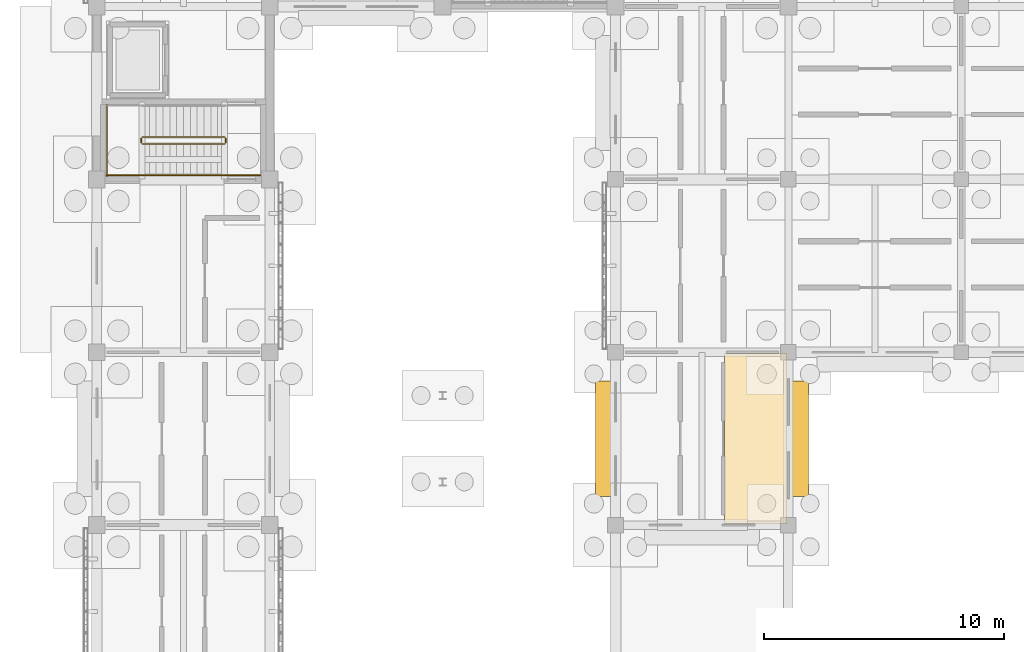
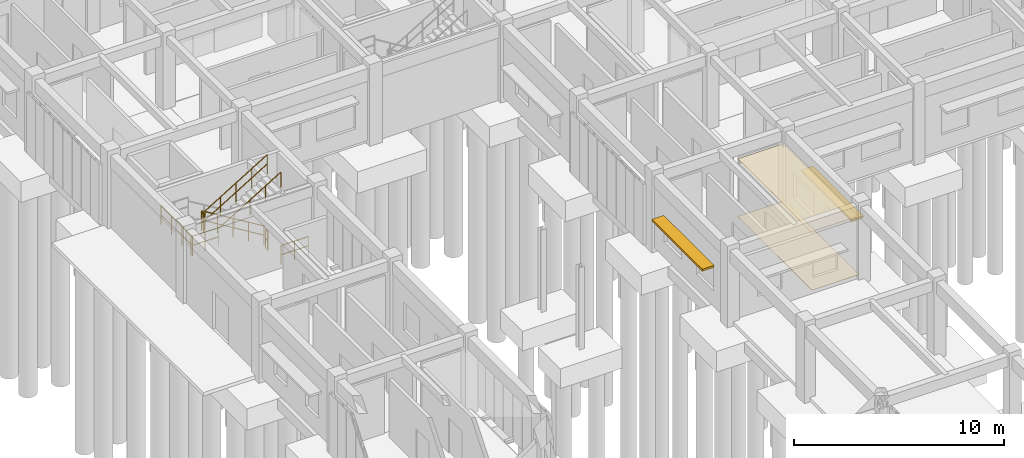
# One storey, part 93 of 111: 8 railings, 2 coverings, 2 shading devices.
"""IFC4 building model written with IfcOpenShell, lengths in metres."""

import ifcopenshell
import ifcopenshell.guid

model = None  # the IFC model being written
_history = None  # IfcOwnerHistory: only IFC2X3 demands one
_inside = {}  # id of a spatial element -> (the spatial element, [elements in it])
_under = {}  # id of a project, library or spatial element -> (it, [spatial elements below it])
_declared = {}  # id of a project -> (the project, [libraries it declares])
_typed = {}  # id of a type object -> (the type object, [elements of that type])
_made_of = {}  # id of a material, layer set ... -> (it, [elements and type objects made of it])


def new_model(schema):
    """Start an empty IFC model of exactly this schema.

    Asked for "IFC4X3", IfcOpenShell would pick the latest addendum, in which some entities
    have other attributes; the version numbers below select the first issue.
    IFC2X3 requires an IfcOwnerHistory on every rooted entity: one is made here for all.
    """
    global model, _history
    if schema == "IFC4X3":
        model = ifcopenshell.file(schema_version=(4, 3, 0, 0))
    else:
        model = ifcopenshell.file(schema=schema)
    _inside.clear()
    _under.clear()
    _declared.clear()
    _typed.clear()
    _made_of.clear()
    _history = None
    if model.schema == "IFC2X3":
        org = make("IfcOrganization", Name="unknown")
        user = make(
            "IfcPersonAndOrganization",
            ThePerson=make("IfcPerson", FamilyName="unknown"),
            TheOrganization=org,
        )
        app = make(
            "IfcApplication",
            ApplicationDeveloper=org,
            Version="unknown",
            ApplicationFullName="unknown",
            ApplicationIdentifier="unknown",
        )
        _history = make(
            "IfcOwnerHistory",
            OwningUser=user,
            OwningApplication=app,
            ChangeAction="ADDED",
            CreationDate=0,
        )
    return model


def make(cls, **values):
    """One entity of the class cls with the attributes given. An attribute that is None is left unset."""
    return model.create_entity(
        cls, **{name: value for name, value in values.items() if value is not None}
    )


def rooted(cls, **values):
    """An entity with a GlobalId (a new one), such as an element, a storey or a relation."""
    return make(cls, GlobalId=ifcopenshell.guid.new(), OwnerHistory=_history, **values)


def si_unit(unit_type, name, prefix=None):
    """IfcSIUnit, for example si_unit("LENGTHUNIT", "METRE", prefix="MILLI")."""
    return make("IfcSIUnit", UnitType=unit_type, Prefix=prefix, Name=name)


def assignment(units):
    """IfcUnitAssignment: the units of a project."""
    return None if units is None else make("IfcUnitAssignment", Units=units)


def point(xyz):
    """IfcCartesianPoint."""
    return None if xyz is None else make("IfcCartesianPoint", Coordinates=xyz)


def direction(xyz):
    """IfcDirection."""
    return None if xyz is None else make("IfcDirection", DirectionRatios=xyz)


def frame(location, z_axis=None, x_axis=None):
    """IfcAxis2Placement3D, a coordinate frame: its origin and axes. An axis left out is left unset."""
    return make(
        "IfcAxis2Placement3D",
        Location=point(location),
        Axis=direction(z_axis),
        RefDirection=direction(x_axis),
    )


def frame_2d(location, x_axis=None):
    """IfcAxis2Placement2D, a coordinate frame in the plane: its origin and x axis."""
    return make(
        "IfcAxis2Placement2D", Location=point(location), RefDirection=direction(x_axis)
    )


def origin():
    """The frame at (0, 0, 0) with its axes left unset."""
    return frame((0.0, 0.0, 0.0))


def origin_2d():
    """The frame at (0, 0) in the plane with its x axis left unset."""
    return frame_2d((0.0, 0.0))


def place(relative_to, where):
    """IfcLocalPlacement: puts the frame where relative to a parent placement (None: the world)."""
    return make(
        "IfcLocalPlacement", PlacementRelTo=relative_to, RelativePlacement=where
    )


def context(
    kind, dimensions, precision=None, world=None, true_north=None, identifier=None
):
    """IfcGeometricRepresentationContext, for example the 3D "Model" context."""
    return make(
        "IfcGeometricRepresentationContext",
        ContextIdentifier=identifier,
        ContextType=kind,
        CoordinateSpaceDimension=dimensions,
        Precision=precision,
        WorldCoordinateSystem=world,
        TrueNorth=true_north,
    )


def subcontext(parent, identifier, kind, view, scale=None):
    """IfcGeometricRepresentationSubContext, for example "Body" below "Model"."""
    return make(
        "IfcGeometricRepresentationSubContext",
        ContextIdentifier=identifier,
        ContextType=kind,
        ParentContext=parent,
        TargetScale=scale,
        TargetView=view,
    )


def project(units=None, contexts=None):
    """IfcProject with its units and contexts."""
    return rooted(
        "IfcProject",
        Name="project",
        RepresentationContexts=contexts,
        UnitsInContext=assignment(units),
    )


def spatial(cls, under=None, at=None, **own):
    """A site, building, storey or space (cls), placed at a placement, below another one or the project."""
    s = rooted(cls, ObjectPlacement=at, **own)
    if under is not None:
        _under.setdefault(under.id(), (under, []))[1].append(s)
    return s


def polyline(points):
    """IfcPolyline through the points."""
    return make("IfcPolyline", Points=[point(p) for p in points])


def profile(cls, at=None, kind="AREA", **sizes):
    """A parametric profile (cls). Its sizes go by their IFC names, for example OverallWidth=200.0."""
    return make(cls, ProfileType=kind, Position=at, **sizes)


def rectangle(**sizes):
    """IfcRectangleProfileDef."""
    return profile("IfcRectangleProfileDef", **sizes)


def circle(**sizes):
    """IfcCircleProfileDef."""
    return profile("IfcCircleProfileDef", **sizes)


def outline(outer, holes=None, kind="AREA"):
    """IfcArbitraryClosedProfileDef: a profile drawn as a closed curve; with holes, ...WithVoids."""
    if holes is None:
        return make("IfcArbitraryClosedProfileDef", ProfileType=kind, OuterCurve=outer)
    return make(
        "IfcArbitraryProfileDefWithVoids",
        ProfileType=kind,
        OuterCurve=outer,
        InnerCurves=holes,
    )


def extrude(swept, where, along, depth):
    """IfcExtrudedAreaSolid: the profile swept, set in the frame where, extruded along a direction by depth."""
    return make(
        "IfcExtrudedAreaSolid",
        SweptArea=swept,
        Position=where,
        ExtrudedDirection=direction(along),
        Depth=depth,
    )


def shape(context_of_items, identifier, shape_type, items):
    """IfcShapeRepresentation: the items that make up one representation, for example the "Body"."""
    return make(
        "IfcShapeRepresentation",
        ContextOfItems=context_of_items,
        RepresentationIdentifier=identifier,
        RepresentationType=shape_type,
        Items=items,
    )


def material(Name=None, Category=None):
    """IfcMaterial."""
    return make("IfcMaterial", Name=Name, Category=Category)


def layer(
    of_material, thickness, ventilated=None, Name=None, Category=None, Priority=None
):
    """IfcMaterialLayer: one layer of a wall or slab, of a material (None: an air gap)."""
    return make(
        "IfcMaterialLayer",
        Material=of_material,
        LayerThickness=thickness,
        IsVentilated=ventilated,
        Name=Name,
        Category=Category,
        Priority=Priority,
    )


def layer_set(layers, Name=None):
    """IfcMaterialLayerSet."""
    return make("IfcMaterialLayerSet", MaterialLayers=layers, LayerSetName=Name)


def made_of(thing, what):
    """Note that an element or type object is made of a material, layer set ...; save() writes the relation."""
    if what is not None:
        _made_of.setdefault(what.id(), (what, []))[1].append(thing)
    return thing


def type_object(cls, material=None, **own):
    """A type object (cls), such as IfcWallType, which elements share."""
    return made_of(rooted(cls, **own), material)


def element(
    cls,
    number,
    at=None,
    inside=None,
    cuts=None,
    type_object=None,
    material=None,
    context=None,
    identifier="Body",
    shape_type=None,
    held_by="IfcProductDefinitionShape",
    body=None,
    shapes=None,
    **own,
):
    """One element of the class cls, such as IfcWall. Its Tag is "e" and its number.

    at: its placement. inside: the storey or other place that contains it. cuts: it is an
    opening in that element (IfcRelVoidsElement). A single representation is given by context,
    identifier, shape_type and body (its items); several are given by shapes. held_by: the class
    of the entity that holds the representations. save() writes the other relations.
    """
    e = rooted(cls, Tag="e%d" % number, ObjectPlacement=at, **own)
    if body is not None:
        shapes = [shape(context, identifier, shape_type, body)]
    if shapes is not None:
        e.Representation = make(held_by, Representations=shapes)
    if inside is not None:
        _inside.setdefault(inside.id(), (inside, []))[1].append(e)
    if cuts is not None:
        rooted(
            "IfcRelVoidsElement", RelatingBuildingElement=cuts, RelatedOpeningElement=e
        )
    if type_object is not None:
        _typed.setdefault(type_object.id(), (type_object, []))[1].append(e)
    return made_of(e, material)


def aggregate(whole, parts):
    """IfcRelAggregates: a whole, such as a stair, and the parts it consists of."""
    return rooted("IfcRelAggregates", RelatingObject=whole, RelatedObjects=parts)


def save(model, path):
    """Write the relations noted so far, then the file.

    IfcRelAggregates (storeys below a building ...), IfcRelContainedInSpatialStructure (elements
    in a storey), IfcRelDefinesByType, IfcRelAssociatesMaterial and IfcRelDeclares: one each for
    every whole, place, type object, material and project.
    """
    for whole, parts in _under.values():
        aggregate(whole, parts)
    for where, things in _inside.values():
        rooted(
            "IfcRelContainedInSpatialStructure",
            RelatedElements=things,
            RelatingStructure=where,
        )
    for kind, things in _typed.values():
        rooted("IfcRelDefinesByType", RelatedObjects=things, RelatingType=kind)
    for what, things in _made_of.values():
        rooted("IfcRelAssociatesMaterial", RelatedObjects=things, RelatingMaterial=what)
    for by, libraries in _declared.values():
        rooted("IfcRelDeclares", RelatingContext=by, RelatedDefinitions=libraries)
    model.write(path)


model = new_model("IFC4")

# Units and contexts
model_context = context("Model", 3, precision=1e-05, world=origin(), true_north=direction((0.0, 1.0)))
body_context = subcontext(model_context, "Body", "Model", "MODEL_VIEW")
ifc_project = project(units=[si_unit("LENGTHUNIT", "METRE"), si_unit("AREAUNIT", "SQUARE_METRE"), si_unit("VOLUMEUNIT", "CUBIC_METRE"), si_unit("PLANEANGLEUNIT", "RADIAN"), si_unit("MASSUNIT", "GRAM", prefix="KILO")], contexts=[model_context])

# Site, building, storey
site_placement = place(None, origin())
site = spatial("IfcSite", under=ifc_project, at=site_placement, CompositionType="ELEMENT")
building_placement = place(site_placement, origin())
building = spatial("IfcBuilding", under=site, at=building_placement, Name="Aldebral Square Health Centre", CompositionType="ELEMENT")
storey_placement = place(building_placement, origin())
storey = spatial("IfcBuildingStorey", under=building, at=storey_placement, Name="L00", CompositionType="ELEMENT", Elevation=0.0)

# Coverings
ifc_material_1 = material(Name="Hygienic acoustic mineral ceiling tile")
ifc_layer_1 = layer(ifc_material_1, 0.02001953125, Name="Hygienic acoustic mineral ceiling tile")
ifc_layer_set_1 = layer_set([ifc_layer_1], Name="Hygienic acoustic mineral ceiling tile")
covering_type_1 = type_object("IfcCoveringType", Name="COV-CLG-AC", PredefinedType="CEILING", material=ifc_layer_set_1)
covering_1_placement = place(storey_placement, frame((0.0, 0.0, 3.340087890625)))
element("IfcCovering", 1, at=covering_1_placement, inside=storey, type_object=covering_type_1, Name="L00 Triage Nurse Station 4.12E acoustic ceiling", PredefinedType="CEILING", context=body_context, shape_type="SweptSolid", body=[
    extrude(outline(polyline([(26.139892578125, 79.260009765625), (28.739990234375, 79.260009765625), (28.739990234375, 86.340087890625), (26.139892578125, 86.340087890625), (26.139892578125, 79.260009765625)])), origin(), (0.0, 0.0, 1.0), 0.02001953125),
])
ifc_material_2 = material(Name="Antimicrobial clinical vinyl flooring")
ifc_layer_2 = layer(ifc_material_2, 0.014892578125, Name="Antimicrobial clinical vinyl flooring")
ifc_layer_set_2 = layer_set([ifc_layer_2], Name="Antimicrobial clinical vinyl flooring")
covering_type_2 = type_object("IfcCoveringType", Name="COV-FLR-VN", PredefinedType="FLOORING", material=ifc_layer_set_2)
covering_2_placement = place(storey_placement, origin())
element("IfcCovering", 2, at=covering_2_placement, inside=storey, type_object=covering_type_2, Name="L00 Triage Nurse Station 4.12E clinical flooring", PredefinedType="FLOORING", context=body_context, shape_type="SweptSolid", body=[
    extrude(outline(polyline([(26.139892578125, 79.260009765625), (28.739990234375, 79.260009765625), (28.739990234375, 86.340087890625), (26.139892578125, 86.340087890625), (26.139892578125, 79.260009765625)])), origin(), (0.0, 0.0, 1.0), 0.014892578125),
])

# Railings
ifc_material_3 = material(Name="Painted steel S355JR stair guard", Category="steel")
railing_type_1 = type_object("IfcRailingType", Name="RL-ST-GRD", PredefinedType="GUARDRAIL", material=ifc_material_3)
railing_1_placement = place(storey_placement, frame((5.320068359375, 95.3701171875, 0.173095703125)))
element("IfcRailing", 3, at=railing_1_placement, inside=storey, type_object=railing_type_1, Name="L00 ST-01 stair guard 1", PredefinedType="GUARDRAIL", context=body_context, shape_type="SweptSolid", body=[
    extrude(circle(Radius=0.02392578125, at=origin_2d()), frame((0.0, 0.0, 1.09619140625), z_axis=(-0.854745945586, 0.0, 0.519046595696), x_axis=(0.0, -1.0, 0.0)), (0.0, 0.0, 1.0), 4.00146484375),
    extrude(circle(Radius=0.02392578125, at=origin_2d()), frame((0.0, 0.0, 0.56005859375), z_axis=(-0.854745945586, 0.0, 0.519046595696), x_axis=(0.0, -1.0, 0.0)), (0.0, 0.0, 1.0), 4.00146484375),
    extrude(circle(Radius=0.02099609375, at=origin_2d()), origin(), (0.0, 0.0, 1.0), 1.072021484375),
    extrude(circle(Radius=0.02099609375, at=origin_2d()), frame((-0.85498046875, 0.0, 0.519287109375)), (0.0, 0.0, 1.0), 1.072021484375),
    extrude(circle(Radius=0.02099609375, at=origin_2d()), frame((-1.7099609375, 0.0, 1.03857421875)), (0.0, 0.0, 1.0), 1.072021484375),
    extrude(circle(Radius=0.02099609375, at=origin_2d()), frame((-2.565185546875, 0.0, 1.5576171875)), (0.0, 0.0, 1.0), 1.072021484375),
    extrude(circle(Radius=0.02099609375, at=origin_2d()), frame((-3.420166015625, 0.0, 2.076904296875)), (0.0, 0.0, 1.0), 1.072021484375),
])
railing_2_placement = place(storey_placement, frame((1.85009765625, 95.320068359375, 2.25)))
element("IfcRailing", 4, at=railing_2_placement, inside=storey, type_object=railing_type_1, Name="L00 ST-01 stair guard 2", PredefinedType="GUARDRAIL", context=body_context, shape_type="SweptSolid", body=[
    extrude(circle(Radius=0.02392578125, at=origin_2d()), frame((0.0, 0.0, 1.09619140625), z_axis=(0.0, -1.0, 0.0), x_axis=(1.0, 0.0, 0.0)), (0.0, 0.0, 1.0), 0.199951171875),
    extrude(circle(Radius=0.02392578125, at=origin_2d()), frame((0.0, 0.0, 0.56005859375), z_axis=(0.0, -1.0, 0.0), x_axis=(1.0, 0.0, 0.0)), (0.0, 0.0, 1.0), 0.199951171875),
    extrude(circle(Radius=0.02099609375, at=origin_2d()), origin(), (0.0, 0.0, 1.0), 1.072021484375),
    extrude(circle(Radius=0.02099609375, at=origin_2d()), frame((0.0, -0.199951171875, 0.0)), (0.0, 0.0, 1.0), 1.072021484375),
])
railing_3_placement = place(storey_placement, frame((1.89990234375, 93.77001953125, 2.25)))
element("IfcRailing", 5, at=railing_3_placement, inside=storey, type_object=railing_type_1, Name="L00 ST-01 stair guard 4", PredefinedType="GUARDRAIL", context=body_context, shape_type="SweptSolid", body=[
    extrude(circle(Radius=0.02392578125, at=origin_2d()), frame((0.0, 0.0, 1.09619140625), z_axis=(-1.0, 0.0, 0.0), x_axis=(0.0, -1.0, 0.0)), (0.0, 0.0, 1.0), 1.52001953125),
    extrude(circle(Radius=0.02392578125, at=origin_2d()), frame((0.0, 0.0, 0.56005859375), z_axis=(-1.0, 0.0, 0.0), x_axis=(0.0, -1.0, 0.0)), (0.0, 0.0, 1.0), 1.52001953125),
    extrude(circle(Radius=0.02099609375, at=origin_2d()), origin(), (0.0, 0.0, 1.0), 1.072021484375),
    extrude(circle(Radius=0.02099609375, at=origin_2d()), frame((-0.760009765625, 0.0, 0.0)), (0.0, 0.0, 1.0), 1.072021484375),
    extrude(circle(Radius=0.02099609375, at=origin_2d()), frame((-1.52001953125, 0.0, 0.0)), (0.0, 0.0, 1.0), 1.072021484375),
])
railing_4_placement = place(storey_placement, frame((0.429931640625, 96.719970703125, 2.25)))
element("IfcRailing", 6, at=railing_4_placement, inside=storey, type_object=railing_type_1, Name="L00 ST-01 stair guard 5", PredefinedType="GUARDRAIL", context=body_context, shape_type="SweptSolid", body=[
    extrude(circle(Radius=0.02392578125, at=origin_2d()), frame((0.0, 0.0, 1.09619140625), z_axis=(0.0, -1.0, 0.0), x_axis=(1.0, 0.0, 0.0)), (0.0, 0.0, 1.0), 3.0),
    extrude(circle(Radius=0.02392578125, at=origin_2d()), frame((0.0, 0.0, 0.56005859375), z_axis=(0.0, -1.0, 0.0), x_axis=(1.0, 0.0, 0.0)), (0.0, 0.0, 1.0), 3.0),
    extrude(circle(Radius=0.02099609375, at=origin_2d()), origin(), (0.0, 0.0, 1.0), 1.072021484375),
    extrude(circle(Radius=0.02099609375, at=origin_2d()), frame((0.0, -1.0, 0.0)), (0.0, 0.0, 1.0), 1.072021484375),
    extrude(circle(Radius=0.02099609375, at=origin_2d()), frame((0.0, -2.0, 0.0)), (0.0, 0.0, 1.0), 1.072021484375),
    extrude(circle(Radius=0.02099609375, at=origin_2d()), frame((0.0, -3.0, 0.0)), (0.0, 0.0, 1.0), 1.072021484375),
])
railing_5_placement = place(storey_placement, frame((1.89990234375, 95.070068359375, 2.423095703125)))
element("IfcRailing", 7, at=railing_5_placement, inside=storey, type_object=railing_type_1, Name="L00 ST-01 stair guard 6", PredefinedType="GUARDRAIL", context=body_context, shape_type="SweptSolid", body=[
    extrude(circle(Radius=0.02392578125, at=origin_2d()), frame((0.0, 0.0, 1.09619140625), z_axis=(0.854745945586, 0.0, 0.519046595696), x_axis=(0.0, 1.0, 0.0)), (0.0, 0.0, 1.0), 4.00146484375),
    extrude(circle(Radius=0.02392578125, at=origin_2d()), frame((0.0, 0.0, 0.56005859375), z_axis=(0.854745945586, 0.0, 0.519046595696), x_axis=(0.0, 1.0, 0.0)), (0.0, 0.0, 1.0), 4.00146484375),
    extrude(circle(Radius=0.02099609375, at=origin_2d()), origin(), (0.0, 0.0, 1.0), 1.072021484375),
    extrude(circle(Radius=0.02099609375, at=origin_2d()), frame((0.85498046875, 0.0, 0.519287109375)), (0.0, 0.0, 1.0), 1.072021484375),
    extrude(circle(Radius=0.02099609375, at=origin_2d()), frame((1.7099609375, 0.0, 1.03857421875)), (0.0, 0.0, 1.0), 1.072021484375),
    extrude(circle(Radius=0.02099609375, at=origin_2d()), frame((2.565185546875, 0.0, 1.5576171875)), (0.0, 0.0, 1.0), 1.072021484375),
    extrude(circle(Radius=0.02099609375, at=origin_2d()), frame((3.420166015625, 0.0, 2.076904296875)), (0.0, 0.0, 1.0), 1.072021484375),
])
railing_6_placement = place(storey_placement, frame((5.3701171875, 95.320068359375, 0.0)))
element("IfcRailing", 8, at=railing_6_placement, inside=storey, type_object=railing_type_1, Name="L00 ST-01 stair guard 7", PredefinedType="GUARDRAIL", context=body_context, shape_type="SweptSolid", body=[
    extrude(circle(Radius=0.02392578125, at=origin_2d()), frame((0.0, 0.0, 1.09619140625), z_axis=(0.0, -1.0, 0.0), x_axis=(1.0, 0.0, 0.0)), (0.0, 0.0, 1.0), 0.199951171875),
    extrude(circle(Radius=0.02392578125, at=origin_2d()), frame((0.0, 0.0, 0.56005859375), z_axis=(0.0, -1.0, 0.0), x_axis=(1.0, 0.0, 0.0)), (0.0, 0.0, 1.0), 0.199951171875),
    extrude(circle(Radius=0.02099609375, at=origin_2d()), origin(), (0.0, 0.0, 1.0), 1.072021484375),
    extrude(circle(Radius=0.02099609375, at=origin_2d()), frame((0.0, -0.199951171875, 0.0)), (0.0, 0.0, 1.0), 1.072021484375),
])
railing_7_placement = place(storey_placement, frame((6.820068359375, 93.77001953125, 0.0)))
element("IfcRailing", 9, at=railing_7_placement, inside=storey, type_object=railing_type_1, Name="L00 ST-01 stair guard 9", PredefinedType="GUARDRAIL", context=body_context, shape_type="SweptSolid", body=[
    extrude(circle(Radius=0.02392578125, at=origin_2d()), frame((0.0, 0.0, 1.09619140625), z_axis=(-1.0, 0.0, 0.0), x_axis=(0.0, -1.0, 0.0)), (0.0, 0.0, 1.0), 1.5),
    extrude(circle(Radius=0.02392578125, at=origin_2d()), frame((0.0, 0.0, 0.56005859375), z_axis=(-1.0, 0.0, 0.0), x_axis=(0.0, -1.0, 0.0)), (0.0, 0.0, 1.0), 1.5),
    extrude(circle(Radius=0.02099609375, at=origin_2d()), origin(), (0.0, 0.0, 1.0), 1.072021484375),
    extrude(circle(Radius=0.02099609375, at=origin_2d()), frame((-0.75, 0.0, 0.0)), (0.0, 0.0, 1.0), 1.072021484375),
    extrude(circle(Radius=0.02099609375, at=origin_2d()), frame((-1.5, 0.0, 0.0)), (0.0, 0.0, 1.0), 1.072021484375),
])
ifc_material_4 = material(Name="Brushed stainless steel handrail", Category="steel")
railing_type_2 = type_object("IfcRailingType", Name="RL-ST-HND", PredefinedType="HANDRAIL", material=ifc_material_4)
railing_8_placement = place(storey_placement, frame((1.89990234375, 93.77001953125, 2.423095703125)))
element("IfcRailing", 10, at=railing_8_placement, inside=storey, type_object=railing_type_2, Name="L00 ST-01 stair handrail 2", PredefinedType="HANDRAIL", context=body_context, shape_type="SweptSolid", body=[
    extrude(circle(Radius=0.02392578125, at=origin_2d()), frame((0.0, 0.0, 0.8759765625), z_axis=(0.854745945586, 0.0, 0.519046595696), x_axis=(0.0, 1.0, 0.0)), (0.0, 0.0, 1.0), 4.00146484375),
    extrude(circle(Radius=0.02099609375, at=origin_2d()), origin(), (0.0, 0.0, 1.0), 0.851806640625),
    extrude(circle(Radius=0.02099609375, at=origin_2d()), frame((0.85498046875, 0.0, 0.519287109375)), (0.0, 0.0, 1.0), 0.851806640625),
    extrude(circle(Radius=0.02099609375, at=origin_2d()), frame((1.7099609375, 0.0, 1.03857421875)), (0.0, 0.0, 1.0), 0.851806640625),
    extrude(circle(Radius=0.02099609375, at=origin_2d()), frame((2.565185546875, 0.0, 1.5576171875)), (0.0, 0.0, 1.0), 0.851806640625),
    extrude(circle(Radius=0.02099609375, at=origin_2d()), frame((3.420166015625, 0.0, 2.076904296875)), (0.0, 0.0, 1.0), 0.851806640625),
])

# Shading devices
ifc_material_5 = material(Name="Sienna-terracotta solar hood", Category="masonry")
shading_device_type = type_object("IfcShadingDeviceType", Name="SHD-LVR-1", PredefinedType="JALOUSIE", material=ifc_material_5)
for number, where, z_axis, x_axis, name in (
    (11, (21.094970703125, 82.800048828125, 2.300048828125), (0.0, 0.0, 1.0), (0.0, 1.0, 0.0), "L00 solar hood L00-V4-03-11-W"),
    (12, (29.304931640625, 82.800048828125, 2.300048828125), (0.0, 0.0, 1.0), (0.0, 1.0, 0.0), "L00 solar hood L00-V4-03-11-E"),
):
    element("IfcShadingDevice", number, at=place(storey_placement, frame(where, z_axis=z_axis, x_axis=x_axis)), inside=storey, type_object=shading_device_type, Name=name, PredefinedType="JALOUSIE", context=body_context, shape_type="SweptSolid", body=[
        extrude(rectangle(XDim=4.800048828125, YDim=0.64990234375, at=origin_2d()), origin(), (0.0, 0.0, 1.0), 0.1201171875),
    ])

save(model, "model.ifc")
